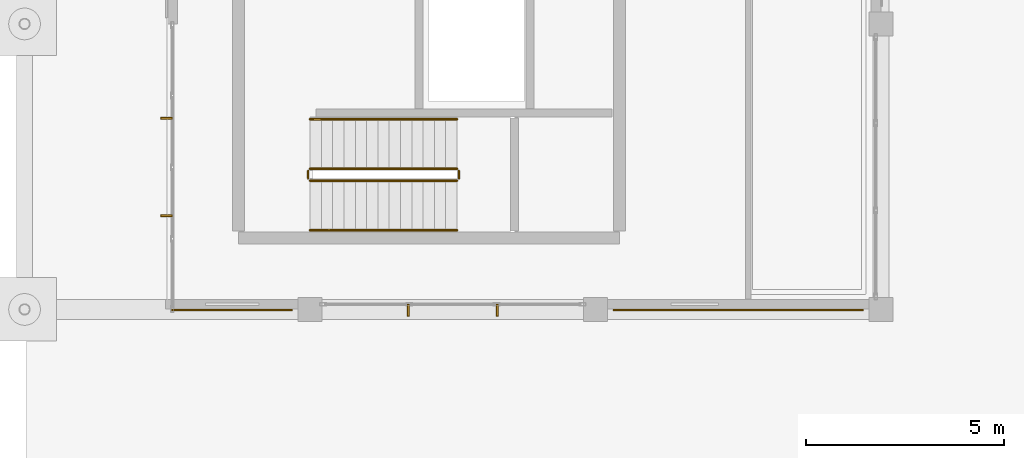
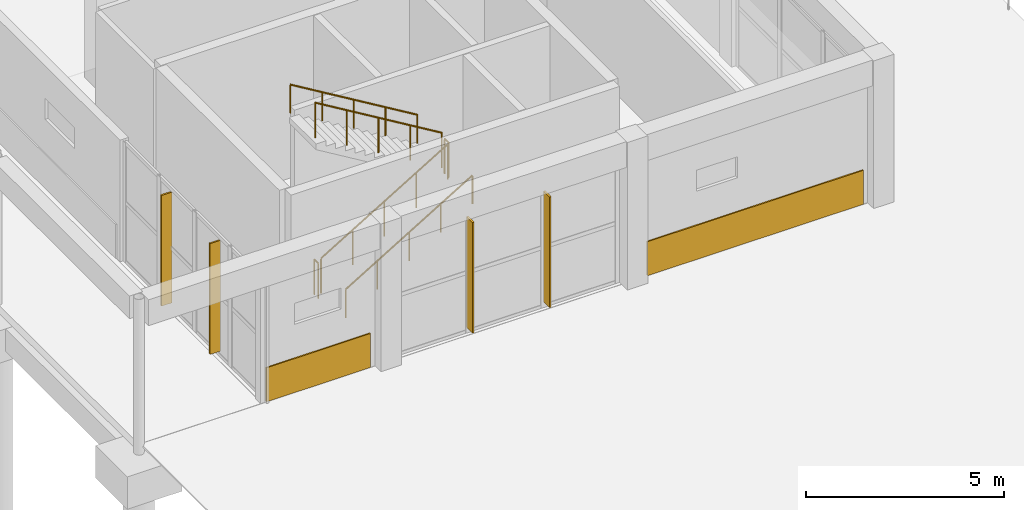
# One storey, part 130 of 155: 6 railings, 4 shading devices, 2 coverings.
"""IFC4 building model written with IfcOpenShell, lengths in metres."""

from ifc_helpers import new_model, si_unit, direction, frame, origin, origin_2d, place, context, subcontext, project, spatial, rectangle, circle, extrude, material, layer, layer_set, type_object, element, save


model = new_model("IFC4")

# Units and contexts
model_context = context("Model", 3, precision=1e-05, world=origin(), true_north=direction((0.0, 1.0)))
body_context = subcontext(model_context, "Body", "Model", "MODEL_VIEW")
ifc_project = project(units=[si_unit("LENGTHUNIT", "METRE"), si_unit("AREAUNIT", "SQUARE_METRE"), si_unit("VOLUMEUNIT", "CUBIC_METRE"), si_unit("PLANEANGLEUNIT", "RADIAN"), si_unit("MASSUNIT", "GRAM", prefix="KILO")], contexts=[model_context])

# Site, building, storey
site_placement = place(None, origin())
site = spatial("IfcSite", under=ifc_project, at=site_placement, CompositionType="ELEMENT")
building_placement = place(site_placement, origin())
building = spatial("IfcBuilding", under=site, at=building_placement, Name="Bramvelor Terrace Health Centre", CompositionType="ELEMENT")
storey_placement = place(building_placement, origin())
storey = spatial("IfcBuildingStorey", under=building, at=storey_placement, Name="L01", CompositionType="ELEMENT", Elevation=0.0)

# Coverings
ifc_material_1 = material(Name="Honed volcanic tuff rainscreen stone", Category="masonry")
ifc_layer_1 = layer(ifc_material_1, 0.0400390625)
ifc_layer_set_1 = layer_set([ifc_layer_1], Name="Honed volcanic tuff rainscreen stone")
covering_type = type_object("IfcCoveringType", Name="COV-CLAD-TUF", PredefinedType="CLADDING", material=ifc_layer_set_1)
covering_1_placement = place(storey_placement, frame((18.0, 28.784912109375, 0.02490234375), z_axis=(0.0, 0.0, 1.0), x_axis=(1.0, 0.0, 0.0)))
element("IfcCovering", 1, at=covering_1_placement, inside=storey, type_object=covering_type, Name="L01 Volcanic Tuff Rainscreen Spandrel 3", PredefinedType="CLADDING", context=body_context, shape_type="SweptSolid", body=[
    extrude(rectangle(XDim=6.31005859375, YDim=0.0400390625, at=origin_2d()), origin(), (0.0, 0.0, 1.0), 1.050048828125),
])
covering_2_placement = place(storey_placement, frame((5.232421875, 28.784912109375, 0.02490234375), z_axis=(0.0, 0.0, 1.0), x_axis=(1.0, 0.0, 0.0)))
element("IfcCovering", 2, at=covering_2_placement, inside=storey, type_object=covering_type, Name="L01 Volcanic Tuff Rainscreen Spandrel 4", PredefinedType="CLADDING", context=body_context, shape_type="SweptSolid", body=[
    extrude(rectangle(XDim=3.044921875, YDim=0.0400390625, at=origin_2d()), origin(), (0.0, 0.0, 1.0), 1.050048828125),
])

# Railings
ifc_material_2 = material(Name="Painted galvanized steel", Category="steel")
railing_type_1 = type_object("IfcRailingType", Name="RLG-GD-1100", PredefinedType="GUARDRAIL", material=ifc_material_2)
railing_1_placement = place(storey_placement, frame((7.199951171875, 32.050048828125, 0.17138671875)))
element("IfcRailing", 3, at=railing_1_placement, inside=storey, type_object=railing_type_1, Name="L01 ST-3 stair guard 1", PredefinedType="GUARDRAIL", context=body_context, shape_type="SweptSolid", body=[
    extrude(circle(Radius=0.02392578125, at=origin_2d()), frame((0.0, 0.0, 1.076171875), z_axis=(0.856934400257, 0.0, 0.515425487977), x_axis=(0.0, 1.0, 0.0)), (0.0, 0.0, 1.0), 4.32373046875),
    extrude(circle(Radius=0.02099609375, at=origin_2d()), origin(), (0.0, 0.0, 1.0), 1.052001953125),
    extrude(circle(Radius=0.02099609375, at=origin_2d()), frame((0.92626953125, 0.0, 0.55712890625)), (0.0, 0.0, 1.0), 1.052001953125),
    extrude(circle(Radius=0.02099609375, at=origin_2d()), frame((1.8525390625, 0.0, 1.1142578125)), (0.0, 0.0, 1.0), 1.052001953125),
    extrude(circle(Radius=0.02099609375, at=origin_2d()), frame((2.77880859375, 0.0, 1.67138671875)), (0.0, 0.0, 1.0), 1.052001953125),
    extrude(circle(Radius=0.02099609375, at=origin_2d()), frame((3.705078125, 0.0, 2.228515625)), (0.0, 0.0, 1.0), 1.052001953125),
])
railing_2_placement = place(storey_placement, frame((10.955078125, 32.10009765625, 2.39990234375)))
element("IfcRailing", 4, at=railing_2_placement, inside=storey, type_object=railing_type_1, Name="L01 ST-3 stair guard 2", PredefinedType="GUARDRAIL", context=body_context, shape_type="SweptSolid", body=[
    extrude(circle(Radius=0.02392578125, at=origin_2d()), frame((0.0, 0.0, 1.076171875), z_axis=(0.0, 1.0, 0.0), x_axis=(-1.0, 0.0, 0.0)), (0.0, 0.0, 1.0), 0.199951171875),
    extrude(circle(Radius=0.02099609375, at=origin_2d()), origin(), (0.0, 0.0, 1.0), 1.052001953125),
    extrude(circle(Radius=0.02099609375, at=origin_2d()), frame((0.0, 0.199951171875, 0.0)), (0.0, 0.0, 1.0), 1.052001953125),
])
railing_3_placement = place(storey_placement, frame((10.905029296875, 32.35009765625, 2.571533203125)))
element("IfcRailing", 5, at=railing_3_placement, inside=storey, type_object=railing_type_1, Name="L01 ST-3 stair guard 3", PredefinedType="GUARDRAIL", context=body_context, shape_type="SweptSolid", body=[
    extrude(circle(Radius=0.02392578125, at=origin_2d()), frame((0.0, 0.0, 1.076171875), z_axis=(-0.856934400257, 0.0, 0.515425487977), x_axis=(0.0, -1.0, 0.0)), (0.0, 0.0, 1.0), 4.32373046875),
    extrude(circle(Radius=0.02099609375, at=origin_2d()), origin(), (0.0, 0.0, 1.0), 1.052001953125),
    extrude(circle(Radius=0.02099609375, at=origin_2d()), frame((-0.92626953125, 0.0, 0.55712890625)), (0.0, 0.0, 1.0), 1.052001953125),
    extrude(circle(Radius=0.02099609375, at=origin_2d()), frame((-1.8525390625, 0.0, 1.1142578125)), (0.0, 0.0, 1.0), 1.052001953125),
    extrude(circle(Radius=0.02099609375, at=origin_2d()), frame((-2.77880859375, 0.0, 1.67138671875)), (0.0, 0.0, 1.0), 1.052001953125),
    extrude(circle(Radius=0.02099609375, at=origin_2d()), frame((-3.705078125, 0.0, 2.228515625)), (0.0, 0.0, 1.0), 1.052001953125),
])
railing_4_placement = place(storey_placement, frame((7.14990234375, 32.10009765625, 0.0)))
element("IfcRailing", 6, at=railing_4_placement, inside=storey, type_object=railing_type_1, Name="L01 ST-3 stair guard 4", PredefinedType="GUARDRAIL", context=body_context, shape_type="SweptSolid", body=[
    extrude(circle(Radius=0.02392578125, at=origin_2d()), frame((0.0, 0.0, 1.076171875), z_axis=(0.0, 1.0, 0.0), x_axis=(-1.0, 0.0, 0.0)), (0.0, 0.0, 1.0), 0.199951171875),
    extrude(circle(Radius=0.02099609375, at=origin_2d()), origin(), (0.0, 0.0, 1.0), 1.052001953125),
    extrude(circle(Radius=0.02099609375, at=origin_2d()), frame((0.0, 0.199951171875, 0.0)), (0.0, 0.0, 1.0), 1.052001953125),
])
ifc_material_3 = material(Name="Brushed stainless steel 316", Category="steel")
railing_type_2 = type_object("IfcRailingType", Name="RLG-HR-900", PredefinedType="HANDRAIL", material=ifc_material_3)
railing_5_placement = place(storey_placement, frame((7.199951171875, 30.800048828125, 0.17138671875)))
element("IfcRailing", 7, at=railing_5_placement, inside=storey, type_object=railing_type_2, Name="L01 ST-3 stair handrail 1", PredefinedType="HANDRAIL", context=body_context, shape_type="SweptSolid", body=[
    extrude(circle(Radius=0.02392578125, at=origin_2d()), frame((0.0, 0.0, 0.8759765625), z_axis=(0.856934400257, 0.0, 0.515425487977), x_axis=(0.0, 1.0, 0.0)), (0.0, 0.0, 1.0), 4.32373046875),
    extrude(circle(Radius=0.02099609375, at=origin_2d()), origin(), (0.0, 0.0, 1.0), 0.851806640625),
    extrude(circle(Radius=0.02099609375, at=origin_2d()), frame((0.92626953125, 0.0, 0.55712890625)), (0.0, 0.0, 1.0), 0.851806640625),
    extrude(circle(Radius=0.02099609375, at=origin_2d()), frame((1.8525390625, 0.0, 1.1142578125)), (0.0, 0.0, 1.0), 0.851806640625),
    extrude(circle(Radius=0.02099609375, at=origin_2d()), frame((2.77880859375, 0.0, 1.67138671875)), (0.0, 0.0, 1.0), 0.851806640625),
    extrude(circle(Radius=0.02099609375, at=origin_2d()), frame((3.705078125, 0.0, 2.228515625)), (0.0, 0.0, 1.0), 0.851806640625),
])
railing_6_placement = place(storey_placement, frame((10.905029296875, 33.60009765625, 2.571533203125)))
element("IfcRailing", 8, at=railing_6_placement, inside=storey, type_object=railing_type_2, Name="L01 ST-3 stair handrail 2", PredefinedType="HANDRAIL", context=body_context, shape_type="SweptSolid", body=[
    extrude(circle(Radius=0.02392578125, at=origin_2d()), frame((0.0, 0.0, 0.8759765625), z_axis=(-0.856934400257, 0.0, 0.515425487977), x_axis=(0.0, -1.0, 0.0)), (0.0, 0.0, 1.0), 4.32373046875),
    extrude(circle(Radius=0.02099609375, at=origin_2d()), origin(), (0.0, 0.0, 1.0), 0.851806640625),
    extrude(circle(Radius=0.02099609375, at=origin_2d()), frame((-0.92626953125, 0.0, 0.55712890625)), (0.0, 0.0, 1.0), 0.851806640625),
    extrude(circle(Radius=0.02099609375, at=origin_2d()), frame((-1.8525390625, 0.0, 1.1142578125)), (0.0, 0.0, 1.0), 0.851806640625),
    extrude(circle(Radius=0.02099609375, at=origin_2d()), frame((-2.77880859375, 0.0, 1.67138671875)), (0.0, 0.0, 1.0), 0.851806640625),
    extrude(circle(Radius=0.02099609375, at=origin_2d()), frame((-3.705078125, 0.0, 2.228515625)), (0.0, 0.0, 1.0), 0.851806640625),
])

# Shading devices
ifc_material_4 = material(Name="Anodized aluminium 6063-T6", Category="aluminium")
ifc_layer_2 = layer(ifc_material_4, 0.050048828125)
ifc_layer_set_2 = layer_set([ifc_layer_2], Name="Anodized aluminium 6063-T6")
shading_device_type = type_object("IfcShadingDeviceType", Name="SHD-FIN-300", PredefinedType="JALOUSIE", material=ifc_layer_set_2)
for number, where, z_axis, x_axis, name in (
    (9, (11.923583984375, 28.780029296875, 0.150146484375), (0.0, 0.0, 1.0), (1.0, 0.0, 0.0), "L01 Solar Shading Louvre Fin 3"),
    (10, (9.67626953125, 28.780029296875, 0.150146484375), (0.0, 0.0, 1.0), (1.0, 0.0, 0.0), "L01 Solar Shading Louvre Fin 4"),
):
    element("IfcShadingDevice", number, at=place(storey_placement, frame(where, z_axis=z_axis, x_axis=x_axis)), inside=storey, type_object=shading_device_type, Name=name, PredefinedType="JALOUSIE", context=body_context, shape_type="SweptSolid", body=[
        extrude(rectangle(XDim=0.050048828125, YDim=0.300048828125, at=origin_2d()), origin(), (0.0, 0.0, 1.0), 3.419921875),
    ])
for number, where, z_axis, x_axis, name in (
    (11, (3.580078125, 31.16259765625, 0.150146484375), (0.0, 0.0, 1.0), (1.0, 0.0, 0.0), "L01 Solar Shading Louvre Fin 5"),
    (12, (3.580078125, 33.617431640625, 0.150146484375), (0.0, 0.0, 1.0), (1.0, 0.0, 0.0), "L01 Solar Shading Louvre Fin 6"),
):
    element("IfcShadingDevice", number, at=place(storey_placement, frame(where, z_axis=z_axis, x_axis=x_axis)), inside=storey, type_object=shading_device_type, Name=name, PredefinedType="JALOUSIE", context=body_context, shape_type="SweptSolid", body=[
        extrude(rectangle(XDim=0.300048828125, YDim=0.050048828125, at=origin_2d()), origin(), (0.0, 0.0, 1.0), 3.419921875),
    ])

save(model, "model.ifc")
